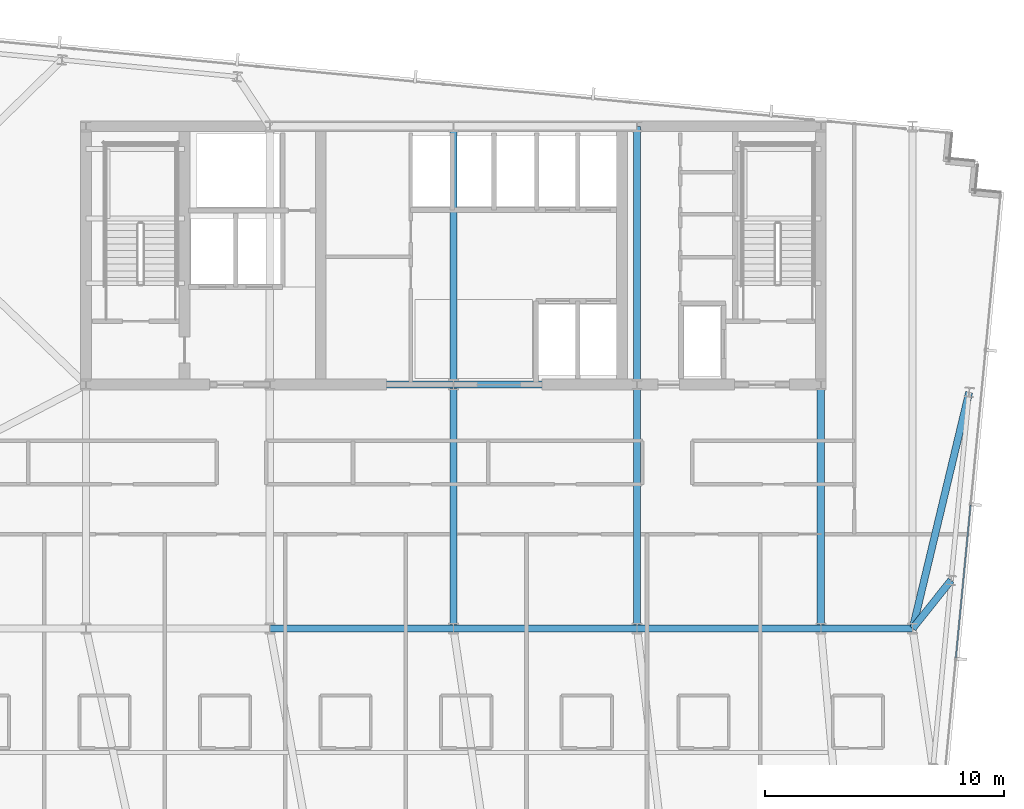
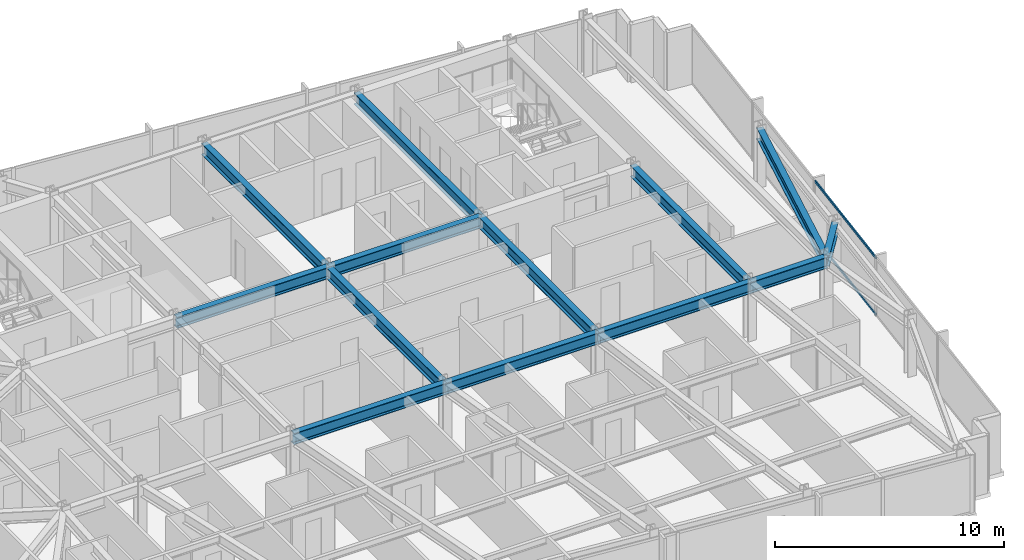
# One storey, part 17 of 38: 13 beams, 2 members, 1 element without a shape of its own.
"""IFC4 building model written with IfcOpenShell, lengths in metres."""

from ifc_helpers import new_model, si_unit, direction, frame, origin, origin_2d, place, context, subcontext, project, spatial, hollow_rectangle, i_section, extrude, material, material_profile, profile_set, type_object, element, aggregate, save


model = new_model("IFC4")

# Units and contexts
model_context = context("Model", 3, precision=1e-05, world=origin(), true_north=direction((0.0, 1.0)))
body_context = subcontext(model_context, "Body", "Model", "MODEL_VIEW")
ifc_project = project(units=[si_unit("LENGTHUNIT", "METRE"), si_unit("AREAUNIT", "SQUARE_METRE"), si_unit("VOLUMEUNIT", "CUBIC_METRE"), si_unit("PLANEANGLEUNIT", "RADIAN"), si_unit("MASSUNIT", "GRAM", prefix="KILO")], contexts=[model_context])

# Site, building, storey
site_placement = place(None, origin())
site = spatial("IfcSite", under=ifc_project, at=site_placement, CompositionType="ELEMENT")
building_placement = place(site_placement, origin())
building = spatial("IfcBuilding", under=site, at=building_placement, Name="Yelkora Congress Tower", CompositionType="ELEMENT")
storey_placement = place(building_placement, frame((0.0, 0.0, 178.699951171875)))
storey = spatial("IfcBuildingStorey", under=building, at=storey_placement, Name="L49", CompositionType="ELEMENT", Elevation=178.699951171875)

# Beams
ifc_material_1 = material(Name="Steel S355J2", Category="steel")
ifc_material_profile_1 = material_profile(ifc_material_1, i_section(OverallWidth=0.300048828125, OverallDepth=0.60009765625, WebThickness=0.015380859375, FlangeThickness=0.030029296875, FilletRadius=0.027099609375, at=origin_2d()), Name="HEB 600")
ifc_profile_set_1 = profile_set([ifc_material_profile_1], Name="Steel S355J2")
beam_type = type_object("IfcBeamType", Name="BM-GIRD-HEB600", PredefinedType="BEAM", material=ifc_profile_set_1)
beam_1_placement = place(storey_placement, frame((30.719970703125, 25.199951171875, 2.780029296875), z_axis=(1.0, 0.0, 0.0), x_axis=(0.0, 1.0, 0.0)))
element("IfcBeam", 1, at=beam_1_placement, inside=storey, type_object=beam_type, Name="L49 Spine Grid D Girder 3", PredefinedType="BEAM", context=body_context, shape_type="SweptSolid", body=[
    extrude(i_section(OverallWidth=0.300048828125, OverallDepth=0.60009765625, WebThickness=0.015380859375, FlangeThickness=0.030029296875, FilletRadius=0.027099609375, at=origin_2d()), origin(), (0.0, 0.0, 1.0), 7.679931640625),
])
beam_2_placement = place(storey_placement, frame((38.39990234375, 25.199951171875, 2.780029296875), z_axis=(1.0, 0.0, 0.0), x_axis=(0.0, 1.0, 0.0)))
element("IfcBeam", 2, at=beam_2_placement, inside=storey, type_object=beam_type, Name="L49 Spine Grid D Girder 4", PredefinedType="BEAM", context=body_context, shape_type="SweptSolid", body=[
    extrude(i_section(OverallWidth=0.300048828125, OverallDepth=0.60009765625, WebThickness=0.015380859375, FlangeThickness=0.030029296875, FilletRadius=0.027099609375, at=origin_2d()), origin(), (0.0, 0.0, 1.0), 7.68017578125),
])
beam_3_placement = place(storey_placement, frame((46.080078125, 25.199951171875, 2.780029296875), z_axis=(1.0, 0.0, 0.0), x_axis=(0.0, 1.0, 0.0)))
element("IfcBeam", 3, at=beam_3_placement, inside=storey, type_object=beam_type, Name="L49 Spine Grid D Girder 5", PredefinedType="BEAM", context=body_context, shape_type="SweptSolid", body=[
    extrude(i_section(OverallWidth=0.300048828125, OverallDepth=0.60009765625, WebThickness=0.015380859375, FlangeThickness=0.030029296875, FilletRadius=0.027099609375, at=origin_2d()), origin(), (0.0, 0.0, 1.0), 7.679931640625),
])
beam_4_placement = place(storey_placement, frame((53.760009765625, 25.199951171875, 2.780029296875), z_axis=(1.0, 0.0, 0.0), x_axis=(0.0, 1.0, 0.0)))
element("IfcBeam", 4, at=beam_4_placement, inside=storey, type_object=beam_type, Name="L49 Spine Grid D Girder 6", PredefinedType="BEAM", context=body_context, shape_type="SweptSolid", body=[
    extrude(i_section(OverallWidth=0.300048828125, OverallDepth=0.60009765625, WebThickness=0.015380859375, FlangeThickness=0.030029296875, FilletRadius=0.027099609375, at=origin_2d()), origin(), (0.0, 0.0, 1.0), 3.840087890625),
])
beam_5_placement = place(storey_placement, frame((30.719970703125, 35.39990234375, 2.780029296875), z_axis=(1.0, 0.0, 0.0), x_axis=(0.0, 1.0, 0.0)))
element("IfcBeam", 5, at=beam_5_placement, inside=storey, type_object=beam_type, Name="L49 Core South Girder 2", PredefinedType="BEAM", context=body_context, shape_type="SweptSolid", body=[
    extrude(i_section(OverallWidth=0.300048828125, OverallDepth=0.60009765625, WebThickness=0.015380859375, FlangeThickness=0.030029296875, FilletRadius=0.027099609375, at=origin_2d()), origin(), (0.0, 0.0, 1.0), 7.679931640625),
])
beam_6_placement = place(storey_placement, frame((38.39990234375, 35.39990234375, 2.780029296875), z_axis=(1.0, 0.0, 0.0), x_axis=(0.0, 1.0, 0.0)))
element("IfcBeam", 6, at=beam_6_placement, inside=storey, type_object=beam_type, Name="L49 Core South Girder 3", PredefinedType="BEAM", context=body_context, shape_type="SweptSolid", body=[
    extrude(i_section(OverallWidth=0.300048828125, OverallDepth=0.60009765625, WebThickness=0.015380859375, FlangeThickness=0.030029296875, FilletRadius=0.027099609375, at=origin_2d()), origin(), (0.0, 0.0, 1.0), 7.68017578125),
])
beam_7_placement = place(storey_placement, frame((38.39990234375, 25.199951171875, 2.780029296875), z_axis=(0.0, 1.0, 0.0), x_axis=(-1.0, 0.0, 0.0)))
element("IfcBeam", 7, at=beam_7_placement, inside=storey, type_object=beam_type, Name="L49 Core Tie Girder MC-D3", PredefinedType="BEAM", context=body_context, shape_type="SweptSolid", body=[
    extrude(i_section(OverallWidth=0.300048828125, OverallDepth=0.60009765625, WebThickness=0.015380859375, FlangeThickness=0.030029296875, FilletRadius=0.027099609375, at=origin_2d()), origin(), (0.0, 0.0, 1.0), 10.199951171875),
])
beam_8_placement = place(storey_placement, frame((38.39990234375, 35.39990234375, 2.780029296875), z_axis=(0.0, 1.0, 0.0), x_axis=(-1.0, 0.0, 0.0)))
element("IfcBeam", 8, at=beam_8_placement, inside=storey, type_object=beam_type, Name="L49 Core Tie Girder MC-S3", PredefinedType="BEAM", context=body_context, shape_type="SweptSolid", body=[
    extrude(i_section(OverallWidth=0.300048828125, OverallDepth=0.60009765625, WebThickness=0.015380859375, FlangeThickness=0.030029296875, FilletRadius=0.027099609375, at=origin_2d()), origin(), (0.0, 0.0, 1.0), 10.800048828125),
])
beam_9_placement = place(storey_placement, frame((46.080078125, 25.199951171875, 2.780029296875), z_axis=(0.0, 1.0, 0.0), x_axis=(-1.0, 0.0, 0.0)))
element("IfcBeam", 9, at=beam_9_placement, inside=storey, type_object=beam_type, Name="L49 Core Tie Girder MC-D4", PredefinedType="BEAM", context=body_context, shape_type="SweptSolid", body=[
    extrude(i_section(OverallWidth=0.300048828125, OverallDepth=0.60009765625, WebThickness=0.015380859375, FlangeThickness=0.030029296875, FilletRadius=0.027099609375, at=origin_2d()), origin(), (0.0, 0.0, 1.0), 10.199951171875),
])
beam_10_placement = place(storey_placement, frame((46.080078125, 35.39990234375, 2.780029296875), z_axis=(0.0, 1.0, 0.0), x_axis=(-1.0, 0.0, 0.0)))
element("IfcBeam", 10, at=beam_10_placement, inside=storey, type_object=beam_type, Name="L49 Core Tie Girder MC-S4", PredefinedType="BEAM", context=body_context, shape_type="SweptSolid", body=[
    extrude(i_section(OverallWidth=0.300048828125, OverallDepth=0.60009765625, WebThickness=0.015380859375, FlangeThickness=0.030029296875, FilletRadius=0.027099609375, at=origin_2d()), origin(), (0.0, 0.0, 1.0), 10.800048828125),
])
beam_11_placement = place(storey_placement, frame((53.760009765625, 25.199951171875, 2.780029296875), z_axis=(0.0, 1.0, 0.0), x_axis=(-1.0, 0.0, 0.0)))
element("IfcBeam", 11, at=beam_11_placement, inside=storey, type_object=beam_type, Name="L49 Core Tie Girder MC-D5", PredefinedType="BEAM", context=body_context, shape_type="SweptSolid", body=[
    extrude(i_section(OverallWidth=0.300048828125, OverallDepth=0.60009765625, WebThickness=0.015380859375, FlangeThickness=0.030029296875, FilletRadius=0.027099609375, at=origin_2d()), origin(), (0.0, 0.0, 1.0), 10.199951171875),
])
beam_12_placement = place(storey_placement, frame((59.206298828125, 27.217529296875, 2.780029296875), z_axis=(-0.622834511353, -0.782353610248, 0.0), x_axis=(0.782353610248, -0.622834511353, 0.0)))
element("IfcBeam", 12, at=beam_12_placement, inside=storey, type_object=beam_type, Name="L49 Primary Frame Girder E02", PredefinedType="BEAM", context=body_context, shape_type="SweptSolid", body=[
    extrude(i_section(OverallWidth=0.300048828125, OverallDepth=0.60009765625, WebThickness=0.015380859375, FlangeThickness=0.030029296875, FilletRadius=0.027099609375, at=origin_2d()), origin(), (0.0, 0.0, 1.0), 2.578857421875),
])
beam_13_placement = place(storey_placement, frame((59.96337890625, 35.0810546875, 2.780029296875), z_axis=(-0.23261126158, -0.972569792347, 0.0), x_axis=(0.972569792347, -0.23261126158, 0.0)))
element("IfcBeam", 13, at=beam_13_placement, inside=storey, type_object=beam_type, Name="L49 Primary Frame Girder E03", PredefinedType="BEAM", context=body_context, shape_type="SweptSolid", body=[
    extrude(i_section(OverallWidth=0.300048828125, OverallDepth=0.60009765625, WebThickness=0.015380859375, FlangeThickness=0.030029296875, FilletRadius=0.027099609375, at=origin_2d()), origin(), (0.0, 0.0, 1.0), 10.15966796875),
])

# Curtain wall, members
ifc_material_2 = material(Name="Anodised aluminium and insulated glass", Category="aluminium")
curtain_wall_type = type_object("IfcCurtainWallType", Name="CW-SYS-B3", PredefinedType="NOTDEFINED", material=ifc_material_2)
curtain_wall_placement = place(storey_placement, origin())
curtain_wall = element("IfcCurtainWall", 14, at=curtain_wall_placement, inside=storey, type_object=curtain_wall_type, Name="L49 Unitised Curtain Wall 15", PredefinedType="NOTDEFINED")
ifc_material_3 = material(Name="Anodised aluminium 6063-T6", Category="aluminium")
ifc_material_profile_2 = material_profile(ifc_material_3, hollow_rectangle(XDim=0.06005859375, YDim=0.1298828125, WallThickness=0.00390625, at=origin_2d()), Name="ALU 60x130x4")
ifc_profile_set_2 = profile_set([ifc_material_profile_2], Name="Anodised aluminium 6063-T6")
member_type = type_object("IfcMemberType", Name="MEM-TR-B3", PredefinedType="USERDEFINED", material=ifc_profile_set_2)
member_1_placement = place(storey_placement, frame((60.021484375, 30.36083984375, 0.030029296875), z_axis=(-0.095843682057, -0.995396397728, 0.0), x_axis=(0.995396397728, -0.095843682057, 0.0)))
member_1 = element("IfcMember", 15, at=member_1_placement, type_object=member_type, Name="CW-B3 transom 3.1", ObjectType="TRANSOM", PredefinedType="USERDEFINED", context=body_context, shape_type="SweptSolid", body=[
    extrude(hollow_rectangle(XDim=0.06005859375, YDim=0.1298828125, WallThickness=0.00390625, at=origin_2d()), origin(), (0.0, 0.0, 1.0), 6.4140625),
])
member_2_placement = place(storey_placement, frame((60.021484375, 30.36083984375, 3.050048828125), z_axis=(-0.095843682057, -0.995396397728, 0.0), x_axis=(0.995396397728, -0.095843682057, 0.0)))
member_2 = element("IfcMember", 16, at=member_2_placement, type_object=member_type, Name="CW-B3 transom 3.2", ObjectType="TRANSOM", PredefinedType="USERDEFINED", context=body_context, shape_type="SweptSolid", body=[
    extrude(hollow_rectangle(XDim=0.06005859375, YDim=0.1298828125, WallThickness=0.00390625, at=origin_2d()), origin(), (0.0, 0.0, 1.0), 6.4140625),
])
aggregate(curtain_wall, [member_1, member_2])

save(model, "model.ifc")
